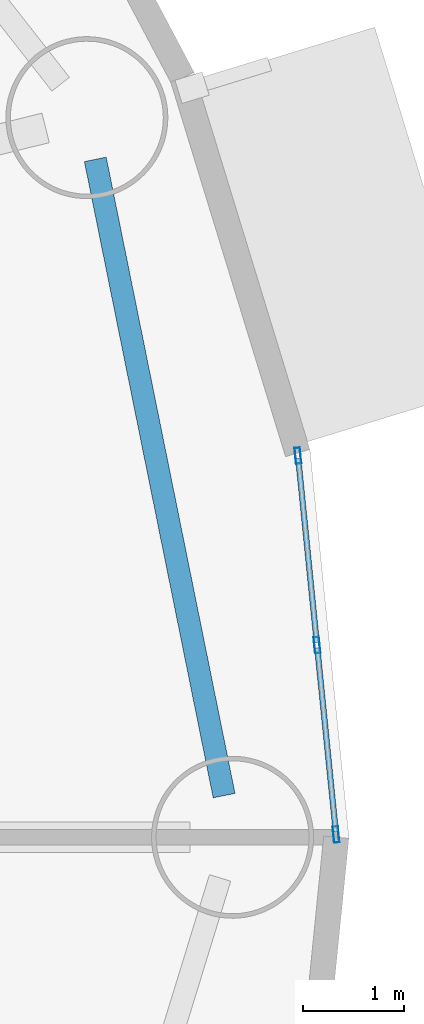
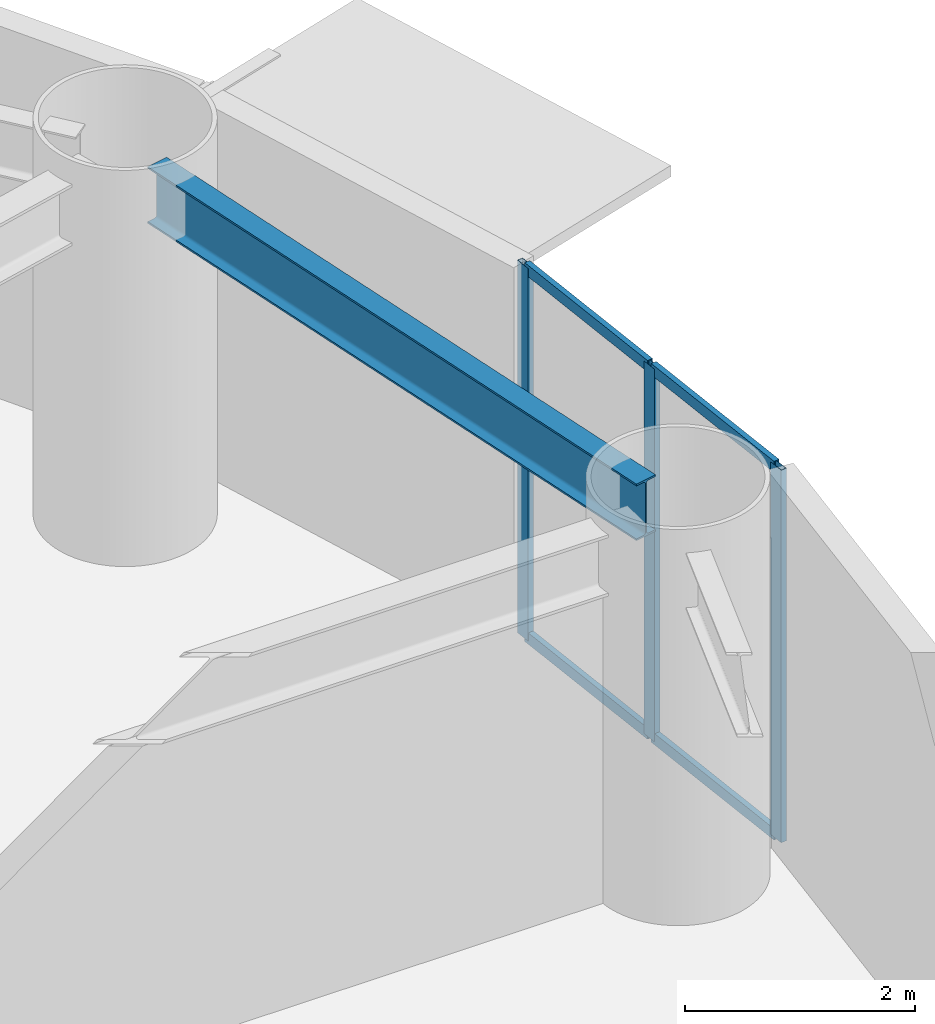
# One storey, part 8 of 29: 7 members, 1 beam, 1 element without a shape of its own.
"""IFC4 building model written with IfcOpenShell, lengths in metres."""

from ifc_helpers import new_model, si_unit, direction, frame, origin, origin_2d, place, context, subcontext, project, spatial, hollow_rectangle, i_section, extrude, source, transform, mapped, material, layer, layer_set, material_profile, profile_set, type_object, element, aggregate, save


model = new_model("IFC4")

# Units and contexts
model_context = context("Model", 3, precision=1e-05, world=origin(), true_north=direction((0.0, 1.0)))
body_context = subcontext(model_context, "Body", "Model", "MODEL_VIEW")
ifc_project = project(units=[si_unit("LENGTHUNIT", "METRE"), si_unit("AREAUNIT", "SQUARE_METRE"), si_unit("VOLUMEUNIT", "CUBIC_METRE"), si_unit("PLANEANGLEUNIT", "RADIAN"), si_unit("MASSUNIT", "GRAM", prefix="KILO")], contexts=[model_context])

# Site, building, storey
site_placement = place(None, origin())
site = spatial("IfcSite", under=ifc_project, at=site_placement, CompositionType="ELEMENT")
building_placement = place(site_placement, origin())
building = spatial("IfcBuilding", under=site, at=building_placement, Name="Linh Dai School and Residence Tower", CompositionType="ELEMENT")
storey_placement = place(building_placement, frame((0.0, 0.0, 45.0)))
storey = spatial("IfcBuildingStorey", under=building, at=storey_placement, Name="L10", CompositionType="ELEMENT", Elevation=45.0)

# Beam
ifc_material_1 = material(Name="Structural Steel S355JR", Category="steel")
ifc_material_profile_1 = material_profile(ifc_material_1, i_section(OverallWidth=0.219970703125, OverallDepth=0.60009765625, WebThickness=0.011962890625, FlangeThickness=0.01904296875, FilletRadius=0.02392578125, at=origin_2d()), Name="IPE 600")
ifc_profile_set_1 = profile_set([ifc_material_profile_1], Name="Structural Steel S355JR")
beam_type = type_object("IfcBeamType", Name="BM-RB60", PredefinedType="BEAM", material=ifc_profile_set_1)
beam_placement = place(storey_placement, frame((65.966552734375, 27.41162109375, 3.64990234375), z_axis=(-0.198429171022, 0.980115230005, 0.0), x_axis=(-0.980115230005, -0.198429171022, 0.0)))
element("IfcBeam", 1, at=beam_placement, inside=storey, type_object=beam_type, Name="L10 Perimeter Elliptical Ring Beam 01", PredefinedType="BEAM", context=body_context, shape_type="SweptSolid", body=[
    extrude(i_section(OverallWidth=0.219970703125, OverallDepth=0.60009765625, WebThickness=0.011962890625, FlangeThickness=0.01904296875, FilletRadius=0.02392578125, at=origin_2d()), origin(), (0.0, 0.0, 1.0), 6.41259765625),
])

# Curtain wall, members
ifc_material_2 = material(Name="Aluminium Anodised Curtain Wall", Category="aluminium")
ifc_layer = layer(ifc_material_2, 0.159912109375)
ifc_layer_set = layer_set([ifc_layer], Name="Aluminium Anodised Curtain Wall")
curtain_wall_type = type_object("IfcCurtainWallType", Name="CW-SYS-3", PredefinedType="USERDEFINED", material=ifc_layer_set)
curtain_wall_placement = place(storey_placement, origin())
curtain_wall = element("IfcCurtainWall", 2, at=curtain_wall_placement, inside=storey, type_object=curtain_wall_type, Name="L10 CW3 Curtain Wall 01", ObjectType="RIBBON CURTAIN WALL", PredefinedType="USERDEFINED")
ifc_material_3 = material(Name="Aluminium Alloy 6063-T6", Category="aluminium")
ifc_material_profile_2 = material_profile(ifc_material_3, hollow_rectangle(XDim=0.054931640625, YDim=0.1201171875, WallThickness=0.00390625, at=origin_2d()), Name="RHS 120x55x4")
ifc_profile_set_2 = profile_set([ifc_material_profile_2], Name="Aluminium Alloy 6063-T6")
member_type_1 = type_object("IfcMemberType", Name="CW-SYS-3-TRN", PredefinedType="USERDEFINED", material=ifc_profile_set_2)
shared_shape_1 = source(origin(), body_context, "Body", "SweptSolid", [
    extrude(hollow_rectangle(XDim=0.054931640625, YDim=0.1201171875, WallThickness=0.00390625, at=origin_2d()), origin(), (0.0, 0.0, 1.0), 1.825439453125),
])
member_1_placement = place(storey_placement, frame((66.698974609375, 30.7421875, 0.027587890625), z_axis=(0.099900947353, -0.994997387292, 0.0), x_axis=(0.994997387292, 0.099900947353, 0.0)))
member_1 = element("IfcMember", 3, at=member_1_placement, type_object=member_type_1, Name="CW3 transom 1.1", ObjectType="TRANSOM", PredefinedType="USERDEFINED", context=body_context, shape_type="MappedRepresentation", body=[
    mapped(shared_shape_1, transform((0.0, 0.0, 0.0), x_axis=(1.0, 0.0, 0.0), y_axis=(0.0, 1.0, 0.0), z_axis=(0.0, 0.0, 1.0), scale=1.0)),
])
member_2_placement = place(storey_placement, frame((66.698974609375, 30.7421875, 3.922607421875), z_axis=(0.099900947353, -0.994997387292, 0.0), x_axis=(0.994997387292, 0.099900947353, 0.0)))
member_2 = element("IfcMember", 4, at=member_2_placement, type_object=member_type_1, Name="CW3 transom 1.2", ObjectType="TRANSOM", PredefinedType="USERDEFINED", context=body_context, shape_type="MappedRepresentation", body=[
    mapped(shared_shape_1, transform((0.0, 0.0, 0.0), x_axis=(1.0, 0.0, 0.0), y_axis=(0.0, 1.0, 0.0), z_axis=(0.0, 0.0, 1.0), scale=1.0)),
])
shared_shape_2 = source(origin(), body_context, "Body", "SweptSolid", [
    extrude(hollow_rectangle(XDim=0.054931640625, YDim=0.1201171875, WallThickness=0.00390625, at=origin_2d()), origin(), (0.0, 0.0, 1.0), 1.82568359375),
])
member_3_placement = place(storey_placement, frame((66.886962890625, 28.87109375, 0.027587890625), z_axis=(0.100033346193, -0.994984085124, 0.0), x_axis=(0.994984085124, 0.100033346193, 0.0)))
member_3 = element("IfcMember", 5, at=member_3_placement, type_object=member_type_1, Name="CW3 transom 2.1", ObjectType="TRANSOM", PredefinedType="USERDEFINED", context=body_context, shape_type="MappedRepresentation", body=[
    mapped(shared_shape_2, transform((0.0, 0.0, 0.0), x_axis=(1.0, 0.0, 0.0), y_axis=(0.0, 1.0, 0.0), z_axis=(0.0, 0.0, 1.0), scale=1.0)),
])
member_4_placement = place(storey_placement, frame((66.886962890625, 28.87109375, 3.922607421875), z_axis=(0.100033346193, -0.994984085124, 0.0), x_axis=(0.994984085124, 0.100033346193, 0.0)))
member_4 = element("IfcMember", 6, at=member_4_placement, type_object=member_type_1, Name="CW3 transom 2.2", ObjectType="TRANSOM", PredefinedType="USERDEFINED", context=body_context, shape_type="MappedRepresentation", body=[
    mapped(shared_shape_2, transform((0.0, 0.0, 0.0), x_axis=(1.0, 0.0, 0.0), y_axis=(0.0, 1.0, 0.0), z_axis=(0.0, 0.0, 1.0), scale=1.0)),
])
ifc_material_profile_3 = material_profile(ifc_material_3, hollow_rectangle(XDim=0.054931640625, YDim=0.159912109375, WallThickness=0.00390625, at=origin_2d()), Name="RHS 160x55x4")
ifc_profile_set_3 = profile_set([ifc_material_profile_3], Name="Aluminium Alloy 6063-T6")
member_type_2 = type_object("IfcMemberType", Name="CW-SYS-3-MUL", PredefinedType="MULLION", material=ifc_profile_set_3)
shared_shape_3 = source(origin(), body_context, "Body", "SweptSolid", [
    extrude(hollow_rectangle(XDim=0.054931640625, YDim=0.159912109375, WallThickness=0.00390625, at=origin_2d()), origin(), (0.0, 0.0, 1.0), 3.949951171875),
])
member_5_placement = place(storey_placement, frame((66.696044921875, 30.76953125, 0.0), z_axis=(0.0, 0.0, 1.0), x_axis=(0.994986493533, 0.100009387998, 0.0)))
member_5 = element("IfcMember", 7, at=member_5_placement, type_object=member_type_2, Name="CW3 mullion 1", PredefinedType="MULLION", context=body_context, shape_type="MappedRepresentation", body=[
    mapped(shared_shape_3, transform((0.0, 0.0, 0.0), x_axis=(1.0, 0.0, 0.0), y_axis=(0.0, 1.0, 0.0), z_axis=(0.0, 0.0, 1.0), scale=1.0)),
])
member_6_placement = place(storey_placement, frame((66.88427734375, 28.8984375, 0.0), z_axis=(0.0, 0.0, 1.0), x_axis=(0.994986493533, 0.100009387998, 0.0)))
member_6 = element("IfcMember", 8, at=member_6_placement, type_object=member_type_2, Name="CW3 mullion 2", PredefinedType="MULLION", context=body_context, shape_type="MappedRepresentation", body=[
    mapped(shared_shape_3, transform((0.0, 0.0, 0.0), x_axis=(1.0, 0.0, 0.0), y_axis=(0.0, 1.0, 0.0), z_axis=(0.0, 0.0, 1.0), scale=1.0)),
])
member_7_placement = place(storey_placement, frame((67.072265625, 27.02734375, 0.0), z_axis=(0.0, 0.0, 1.0), x_axis=(0.994986493533, 0.100009387998, 0.0)))
member_7 = element("IfcMember", 9, at=member_7_placement, type_object=member_type_2, Name="CW3 mullion 3", PredefinedType="MULLION", context=body_context, shape_type="MappedRepresentation", body=[
    mapped(shared_shape_3, transform((0.0, 0.0, 0.0), x_axis=(1.0, 0.0, 0.0), y_axis=(0.0, 1.0, 0.0), z_axis=(0.0, 0.0, 1.0), scale=1.0)),
])
aggregate(curtain_wall, [member_5, member_6, member_7, member_1, member_2, member_3, member_4])

save(model, "model.ifc")
